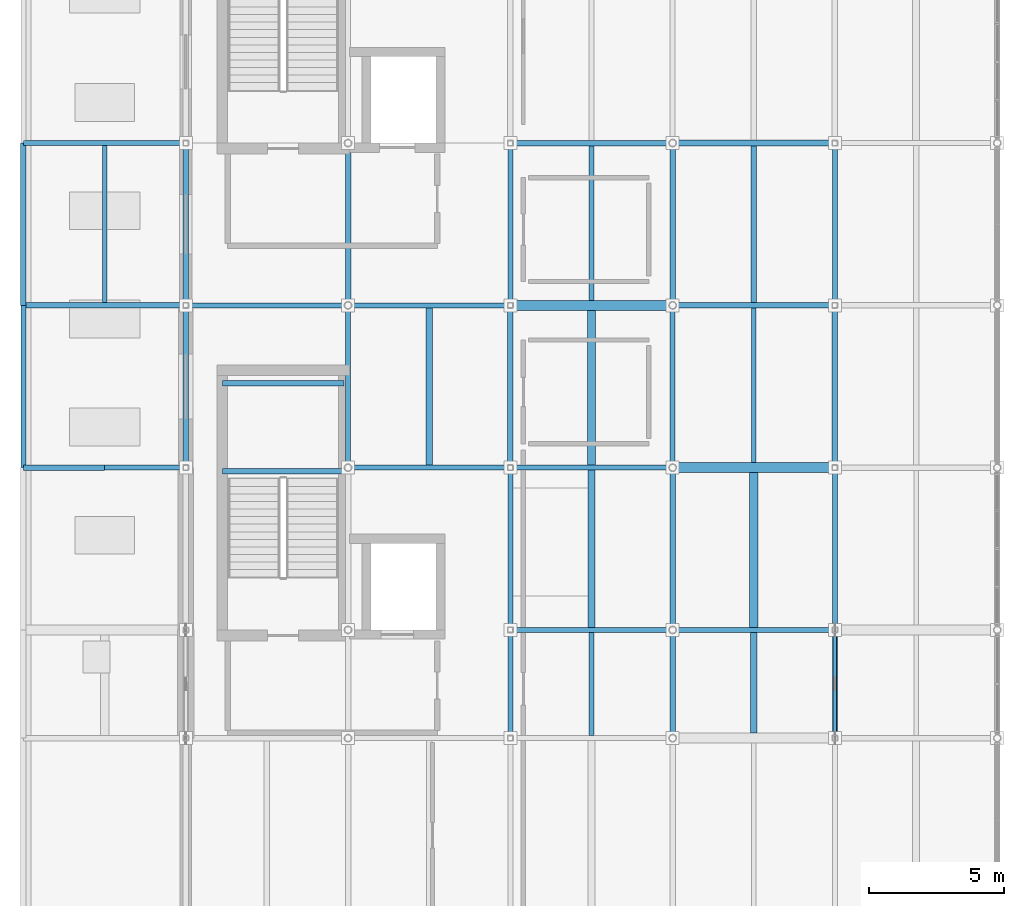
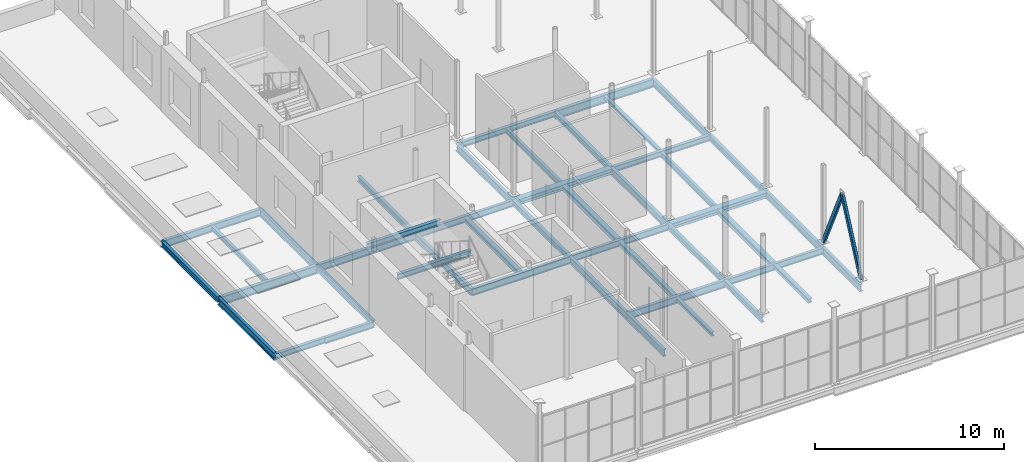
# One storey, part 11 of 27: 45 beams, 2 members.
"""IFC4 building model written with IfcOpenShell, lengths in metres."""

from ifc_helpers import new_model, si_unit, direction, frame, origin, origin_2d, place, context, subcontext, project, spatial, hollow_rectangle, i_section, extrude, material, material_profile, profile_set, type_object, element, save


model = new_model("IFC4")

# Units and contexts
model_context = context("Model", 3, precision=1e-05, world=origin(), true_north=direction((0.0, 1.0)))
body_context = subcontext(model_context, "Body", "Model", "MODEL_VIEW")
ifc_project = project(units=[si_unit("LENGTHUNIT", "METRE"), si_unit("AREAUNIT", "SQUARE_METRE"), si_unit("VOLUMEUNIT", "CUBIC_METRE"), si_unit("PLANEANGLEUNIT", "RADIAN"), si_unit("MASSUNIT", "GRAM", prefix="KILO")], contexts=[model_context])

# Site, building, storey
site_placement = place(None, origin())
site = spatial("IfcSite", under=ifc_project, at=site_placement, CompositionType="ELEMENT")
building_placement = place(site_placement, origin())
building = spatial("IfcBuilding", under=site, at=building_placement, Name="Verrall Gate Interchange", CompositionType="ELEMENT")
storey_placement = place(building_placement, frame((0.0, 0.0, 23.60009765625)))
storey = spatial("IfcBuildingStorey", under=building, at=storey_placement, Name="L06", CompositionType="ELEMENT", Elevation=23.60009765625)

# Beams
ifc_material_1 = material(Name="Structural Steel CSA G40.21 350W", Category="steel")
ifc_material_profile_1 = material_profile(ifc_material_1, i_section(OverallWidth=0.2109375, OverallDepth=0.5390625, WebThickness=0.01171875, FlangeThickness=0.018798828125, FilletRadius=0.013916015625, at=origin_2d()), Name="W530x109")
ifc_profile_set_1 = profile_set([ifc_material_profile_1], Name="Structural Steel CSA G40.21 350W")
beam_type_1 = type_object("IfcBeamType", Name="B-10 Structural Beam W530x109", PredefinedType="BEAM", material=ifc_profile_set_1)
for number, where, z_axis, x_axis, name in (
    (1, (0.0, 28.0, -0.599609375), (1.0, 0.0, 0.0), (0.0, 1.0, 0.0), "L06 Girder BM-L06-3075 (B-10)"),
    (2, (24.0, 34.0, -0.599609375), (1.0, 0.0, 0.0), (0.0, 1.0, 0.0), "L06 Girder BM-L06-3083 (B-10)"),
):
    element("IfcBeam", number, at=place(storey_placement, frame(where, z_axis=z_axis, x_axis=x_axis)), inside=storey, type_object=beam_type_1, Name=name, PredefinedType="BEAM", context=body_context, shape_type="SweptSolid", body=[
        extrude(i_section(OverallWidth=0.2109375, OverallDepth=0.5390625, WebThickness=0.01171875, FlangeThickness=0.018798828125, FilletRadius=0.013916015625, at=origin_2d()), origin(), (0.0, 0.0, 1.0), 6.0),
    ])
ifc_material_2 = material(Name="Structural Steel CSA G40.21 350W", Category="steel")
ifc_material_profile_2 = material_profile(ifc_material_2, i_section(OverallWidth=0.19189453125, OverallDepth=0.462890625, WebThickness=0.010498046875, FlangeThickness=0.017578125, FilletRadius=0.012939453125, at=origin_2d()), Name="W460x89")
ifc_profile_set_2 = profile_set([ifc_material_profile_2], Name="Structural Steel CSA G40.21 350W")
beam_type_2 = type_object("IfcBeamType", Name="B-11 Structural Beam W460x89", PredefinedType="BEAM", material=ifc_profile_set_2)
for number, where, z_axis, x_axis, name in (
    (3, (18.0, 16.0, -0.5615234375), (1.0, 0.0, 0.0), (0.0, 1.0, 0.0), "L06 Girder BM-L06-3066 (B-11)"),
    (4, (12.0, 22.0, -0.5615234375), (1.0, 0.0, 0.0), (0.0, 1.0, 0.0), "L06 Girder BM-L06-3071 (B-11)"),
    (5, (6.0, 28.0, -0.5615234375), (1.0, 0.0, 0.0), (0.0, 1.0, 0.0), "L06 Girder BM-L06-3076 (B-11)"),
    (6, (0.0, 34.0, -0.5615234375), (1.0, 0.0, 0.0), (0.0, 1.0, 0.0), "L06 Girder BM-L06-3081 (B-11)"),
    (7, (0.0, 22.0, -0.5615234375), (0.0, 1.0, 0.0), (-1.0, 0.0, 0.0), "L06 Girder BM-L06-3116 (B-11)"),
    (8, (6.0, 28.0, -0.5615234375), (0.0, 1.0, 0.0), (-1.0, 0.0, 0.0), "L06 Girder BM-L06-3128 (B-11)"),
    (9, (12.0, 22.0, -0.5615234375), (0.0, 1.0, 0.0), (-1.0, 0.0, 0.0), "L06 Girder BM-L06-3137 (B-11)"),
):
    element("IfcBeam", number, at=place(storey_placement, frame(where, z_axis=z_axis, x_axis=x_axis)), inside=storey, type_object=beam_type_2, Name=name, PredefinedType="BEAM", context=body_context, shape_type="SweptSolid", body=[
        extrude(i_section(OverallWidth=0.19189453125, OverallDepth=0.462890625, WebThickness=0.010498046875, FlangeThickness=0.017578125, FilletRadius=0.012939453125, at=origin_2d()), origin(), (0.0, 0.0, 1.0), 6.0),
    ])
beam_1_placement = place(storey_placement, frame((18.0, 12.0, -0.5615234375), z_axis=(0.0, 1.0, 0.0), x_axis=(-1.0, 0.0, 0.0)))
element("IfcBeam", 10, at=beam_1_placement, inside=storey, type_object=beam_type_2, Name="L06 Girder BM-L06-3145 (B-11)", PredefinedType="BEAM", context=body_context, shape_type="SweptSolid", body=[
    extrude(i_section(OverallWidth=0.19189453125, OverallDepth=0.462890625, WebThickness=0.010498046875, FlangeThickness=0.017578125, FilletRadius=0.012939453125, at=origin_2d()), origin(), (0.0, 0.0, 1.0), 4.0),
])
for number, where, z_axis, x_axis, name in (
    (11, (18.0, 16.0, -0.5615234375), (0.0, 1.0, 0.0), (-1.0, 0.0, 0.0), "L06 Girder BM-L06-3146 (B-11)"),
    (12, (18.0, 28.0, -0.5615234375), (0.0, 1.0, 0.0), (-1.0, 0.0, 0.0), "L06 Girder BM-L06-3148 (B-11)"),
    (13, (24.0, 22.0, -0.5615234375), (0.0, 1.0, 0.0), (-1.0, 0.0, 0.0), "L06 Girder BM-L06-3157 (B-11)"),
):
    element("IfcBeam", number, at=place(storey_placement, frame(where, z_axis=z_axis, x_axis=x_axis)), inside=storey, type_object=beam_type_2, Name=name, PredefinedType="BEAM", context=body_context, shape_type="SweptSolid", body=[
        extrude(i_section(OverallWidth=0.19189453125, OverallDepth=0.462890625, WebThickness=0.010498046875, FlangeThickness=0.017578125, FilletRadius=0.012939453125, at=origin_2d()), origin(), (0.0, 0.0, 1.0), 6.0),
    ])
beam_2_placement = place(storey_placement, frame((30.0, 12.0, -0.5615234375), z_axis=(0.0, 1.0, 0.0), x_axis=(-1.0, 0.0, 0.0)))
element("IfcBeam", 14, at=beam_2_placement, inside=storey, type_object=beam_type_2, Name="L06 Girder BM-L06-3165 (B-11)", PredefinedType="BEAM", context=body_context, shape_type="SweptSolid", body=[
    extrude(i_section(OverallWidth=0.19189453125, OverallDepth=0.462890625, WebThickness=0.010498046875, FlangeThickness=0.017578125, FilletRadius=0.012939453125, at=origin_2d()), origin(), (0.0, 0.0, 1.0), 4.0),
])
for number, where, z_axis, x_axis, name in (
    (15, (30.0, 16.0, -0.5615234375), (0.0, 1.0, 0.0), (-1.0, 0.0, 0.0), "L06 Girder BM-L06-3166 (B-11)"),
    (16, (30.0, 28.0, -0.5615234375), (0.0, 1.0, 0.0), (-1.0, 0.0, 0.0), "L06 Girder BM-L06-3168 (B-11)"),
):
    element("IfcBeam", number, at=place(storey_placement, frame(where, z_axis=z_axis, x_axis=x_axis)), inside=storey, type_object=beam_type_2, Name=name, PredefinedType="BEAM", context=body_context, shape_type="SweptSolid", body=[
        extrude(i_section(OverallWidth=0.19189453125, OverallDepth=0.462890625, WebThickness=0.010498046875, FlangeThickness=0.017578125, FilletRadius=0.012939453125, at=origin_2d()), origin(), (0.0, 0.0, 1.0), 6.0),
    ])
ifc_material_3 = material(Name="Structural Steel CSA G40.21 350W", Category="steel")
ifc_material_profile_3 = material_profile(ifc_material_3, i_section(OverallWidth=0.178955078125, OverallDepth=0.409912109375, WebThickness=0.0087890625, FlangeThickness=0.014404296875, FilletRadius=0.011962890625, at=origin_2d()), Name="W410x67")
ifc_profile_set_3 = profile_set([ifc_material_profile_3], Name="Structural Steel CSA G40.21 350W")
beam_type_3 = type_object("IfcBeamType", Name="B-12 Structural Beam W410x67", PredefinedType="BEAM", material=ifc_profile_set_3)
beam_3_placement = place(storey_placement, frame((24.0, 16.0, -0.53515625), z_axis=(1.0, 0.0, 0.0), x_axis=(0.0, 1.0, 0.0)))
element("IfcBeam", 17, at=beam_3_placement, inside=storey, type_object=beam_type_3, Name="L06 Girder BM-L06-3067 (B-12)", PredefinedType="BEAM", context=body_context, shape_type="SweptSolid", body=[
    extrude(i_section(OverallWidth=0.178955078125, OverallDepth=0.409912109375, WebThickness=0.0087890625, FlangeThickness=0.014404296875, FilletRadius=0.011962890625, at=origin_2d()), origin(), (0.0, 0.0, 1.0), 6.0),
])
beam_4_placement = place(storey_placement, frame((3.0, 22.0, -0.53515625), z_axis=(1.0, 0.0, 0.0), x_axis=(0.0, 1.0, 0.0)))
element("IfcBeam", 18, at=beam_4_placement, inside=storey, type_object=beam_type_3, Name="L06 Girder BM-L06-3070 (B-12)", PredefinedType="BEAM", context=body_context, shape_type="SweptSolid", body=[
    extrude(i_section(OverallWidth=0.178955078125, OverallDepth=0.409912109375, WebThickness=0.0087890625, FlangeThickness=0.014404296875, FilletRadius=0.011962890625, at=origin_2d()), origin(), (0.0, 0.0, 1.0), 3.0),
])
for number, where, z_axis, x_axis, name in (
    (19, (18.0, 22.0, -0.53515625), (1.0, 0.0, 0.0), (0.0, 1.0, 0.0), "L06 Girder BM-L06-3072 (B-12)"),
    (20, (12.0, 28.0, -0.53515625), (1.0, 0.0, 0.0), (0.0, 1.0, 0.0), "L06 Girder BM-L06-3077 (B-12)"),
):
    element("IfcBeam", number, at=place(storey_placement, frame(where, z_axis=z_axis, x_axis=x_axis)), inside=storey, type_object=beam_type_3, Name=name, PredefinedType="BEAM", context=body_context, shape_type="SweptSolid", body=[
        extrude(i_section(OverallWidth=0.178955078125, OverallDepth=0.409912109375, WebThickness=0.0087890625, FlangeThickness=0.014404296875, FilletRadius=0.011962890625, at=origin_2d()), origin(), (0.0, 0.0, 1.0), 6.0),
    ])
ifc_material_4 = material(Name="Structural Steel CSA G40.21 350W", Category="steel")
ifc_material_profile_4 = material_profile(ifc_material_4, i_section(OverallWidth=0.368896484375, OverallDepth=0.35595703125, WebThickness=0.01123046875, FlangeThickness=0.01806640625, FilletRadius=0.014892578125, at=origin_2d()), Name="W360x134")
ifc_profile_set_4 = profile_set([ifc_material_profile_4], Name="Structural Steel CSA G40.21 350W")
beam_type_4 = type_object("IfcBeamType", Name="B-13 Structural Beam W360x134", PredefinedType="BEAM", material=ifc_profile_set_4)
for number, where, z_axis, x_axis, name in (
    (21, (24.0, 22.0, -0.508056640625), (1.0, 0.0, 0.0), (0.0, 1.0, 0.0), "L06 Girder BM-L06-3073 (B-13)"),
    (22, (18.0, 28.0, -0.508056640625), (1.0, 0.0, 0.0), (0.0, 1.0, 0.0), "L06 Girder BM-L06-3078 (B-13)"),
):
    element("IfcBeam", number, at=place(storey_placement, frame(where, z_axis=z_axis, x_axis=x_axis)), inside=storey, type_object=beam_type_4, Name=name, PredefinedType="BEAM", context=body_context, shape_type="SweptSolid", body=[
        extrude(i_section(OverallWidth=0.368896484375, OverallDepth=0.35595703125, WebThickness=0.01123046875, FlangeThickness=0.01806640625, FilletRadius=0.014892578125, at=origin_2d()), origin(), (0.0, 0.0, 1.0), 6.0),
    ])
ifc_material_5 = material(Name="Structural Steel CSA G40.21 350W", Category="steel")
ifc_material_profile_5 = material_profile(ifc_material_5, i_section(OverallWidth=0.205078125, OverallDepth=0.35400390625, WebThickness=0.009521484375, FlangeThickness=0.016845703125, FilletRadius=0.012939453125, at=origin_2d()), Name="W360x79")
ifc_profile_set_5 = profile_set([ifc_material_profile_5], Name="Structural Steel CSA G40.21 350W")
beam_type_5 = type_object("IfcBeamType", Name="B-14 Structural Beam W360x79", PredefinedType="BEAM", material=ifc_profile_set_5)
beam_5_placement = place(storey_placement, frame((0.0, 22.0, -0.507080078125), z_axis=(1.0, 0.0, 0.0), x_axis=(0.0, 1.0, 0.0)))
element("IfcBeam", 23, at=beam_5_placement, inside=storey, type_object=beam_type_5, Name="L06 Girder BM-L06-3069 (B-14)", PredefinedType="BEAM", context=body_context, shape_type="SweptSolid", body=[
    extrude(i_section(OverallWidth=0.205078125, OverallDepth=0.35400390625, WebThickness=0.009521484375, FlangeThickness=0.016845703125, FilletRadius=0.012939453125, at=origin_2d()), origin(), (0.0, 0.0, 1.0), 3.0),
])
for number, where, z_axis, x_axis, name in (
    (24, (24.0, 28.0, -0.507080078125), (1.0, 0.0, 0.0), (0.0, 1.0, 0.0), "L06 Girder BM-L06-3079 (B-14)"),
    (25, (18.0, 34.0, -0.507080078125), (1.0, 0.0, 0.0), (0.0, 1.0, 0.0), "L06 Girder BM-L06-3082 (B-14)"),
    (26, (0.0, 28.0, -0.507080078125), (0.0, 1.0, 0.0), (-1.0, 0.0, 0.0), "L06 Girder BM-L06-3117 (B-14)"),
    (27, (6.0, 22.0, -0.507080078125), (0.0, 1.0, 0.0), (-1.0, 0.0, 0.0), "L06 Girder BM-L06-3127 (B-14)"),
    (28, (12.0, 28.0, -0.507080078125), (0.0, 1.0, 0.0), (-1.0, 0.0, 0.0), "L06 Girder BM-L06-3138 (B-14)"),
    (29, (18.0, 22.0, -0.507080078125), (0.0, 1.0, 0.0), (-1.0, 0.0, 0.0), "L06 Girder BM-L06-3147 (B-14)"),
):
    element("IfcBeam", number, at=place(storey_placement, frame(where, z_axis=z_axis, x_axis=x_axis)), inside=storey, type_object=beam_type_5, Name=name, PredefinedType="BEAM", context=body_context, shape_type="SweptSolid", body=[
        extrude(i_section(OverallWidth=0.205078125, OverallDepth=0.35400390625, WebThickness=0.009521484375, FlangeThickness=0.016845703125, FilletRadius=0.012939453125, at=origin_2d()), origin(), (0.0, 0.0, 1.0), 6.0),
    ])
beam_6_placement = place(storey_placement, frame((24.0, 12.0, -0.507080078125), z_axis=(0.0, 1.0, 0.0), x_axis=(-1.0, 0.0, 0.0)))
element("IfcBeam", 30, at=beam_6_placement, inside=storey, type_object=beam_type_5, Name="L06 Girder BM-L06-3155 (B-14)", PredefinedType="BEAM", context=body_context, shape_type="SweptSolid", body=[
    extrude(i_section(OverallWidth=0.205078125, OverallDepth=0.35400390625, WebThickness=0.009521484375, FlangeThickness=0.016845703125, FilletRadius=0.012939453125, at=origin_2d()), origin(), (0.0, 0.0, 1.0), 4.0),
])
for number, where, z_axis, x_axis, name in (
    (31, (24.0, 16.0, -0.507080078125), (0.0, 1.0, 0.0), (-1.0, 0.0, 0.0), "L06 Girder BM-L06-3156 (B-14)"),
    (32, (24.0, 28.0, -0.507080078125), (0.0, 1.0, 0.0), (-1.0, 0.0, 0.0), "L06 Girder BM-L06-3158 (B-14)"),
    (33, (30.0, 22.0, -0.507080078125), (0.0, 1.0, 0.0), (-1.0, 0.0, 0.0), "L06 Girder BM-L06-3167 (B-14)"),
):
    element("IfcBeam", number, at=place(storey_placement, frame(where, z_axis=z_axis, x_axis=x_axis)), inside=storey, type_object=beam_type_5, Name=name, PredefinedType="BEAM", context=body_context, shape_type="SweptSolid", body=[
        extrude(i_section(OverallWidth=0.205078125, OverallDepth=0.35400390625, WebThickness=0.009521484375, FlangeThickness=0.016845703125, FilletRadius=0.012939453125, at=origin_2d()), origin(), (0.0, 0.0, 1.0), 6.0),
    ])
for number, where, z_axis, x_axis, name in (
    (34, (7.35009765625, 21.8701171875, 2.1298828125), (1.0, 0.0, 0.0), (0.0, 1.0, 0.0), "L06 Core C1 Mid-Landing Beam 1"),
    (35, (7.35009765625, 25.1201171875, 2.1298828125), (1.0, 0.0, 0.0), (0.0, 1.0, 0.0), "L06 Core C1 Mid-Landing Beam 2"),
):
    element("IfcBeam", number, at=place(storey_placement, frame(where, z_axis=z_axis, x_axis=x_axis)), inside=storey, type_object=beam_type_5, Name=name, PredefinedType="BEAM", context=body_context, shape_type="SweptSolid", body=[
        extrude(i_section(OverallWidth=0.205078125, OverallDepth=0.35400390625, WebThickness=0.009521484375, FlangeThickness=0.016845703125, FilletRadius=0.012939453125, at=origin_2d()), origin(), (0.0, 0.0, 1.0), 4.5),
    ])

# Members
ifc_material_6 = material(Name="Structural Steel CSA G40.21 350W", Category="steel")
ifc_material_profile_6 = material_profile(ifc_material_6, hollow_rectangle(XDim=0.152099609375, YDim=0.25390625, WallThickness=0.009521484375, InnerFilletRadius=0.009521484375, OuterFilletRadius=0.01904296875, at=origin_2d()), Name="HSS254x152x9.5")
ifc_profile_set_6 = profile_set([ifc_material_profile_6], Name="Structural Steel CSA G40.21 350W")
member_type = type_object("IfcMemberType", Name="BR-05 Diagonal Brace HSS254x152x9.5", PredefinedType="BRACE", material=ifc_profile_set_6)
for number, where, z_axis, x_axis, name in (
    (36, (30.0, 12.0, 0.0), (0.0, 0.422555052535, 0.90633725929), (-1.0, 0.0, 0.0), "Chevron Brace CBF5 L06 Leg A"),
    (37, (30.0, 16.0, 0.0), (0.0, -0.422555052535, 0.90633725929), (1.0, 0.0, 0.0), "Chevron Brace CBF5 L06 Leg B"),
):
    element("IfcMember", number, at=place(storey_placement, frame(where, z_axis=z_axis, x_axis=x_axis)), inside=storey, type_object=member_type, Name=name, PredefinedType="BRACE", context=body_context, shape_type="SweptSolid", body=[
        extrude(hollow_rectangle(XDim=0.152099609375, YDim=0.25390625, WallThickness=0.009521484375, InnerFilletRadius=0.009521484375, OuterFilletRadius=0.01904296875, at=origin_2d()), origin(), (0.0, 0.0, 1.0), 4.733154296875),
    ])

# Beams
ifc_material_7 = material(Name="Structural Steel CSA G40.21 350W", Category="steel")
ifc_material_profile_7 = material_profile(ifc_material_7, i_section(OverallWidth=0.172119140625, OverallDepth=0.35791015625, WebThickness=0.0078125, FlangeThickness=0.01318359375, FilletRadius=0.010986328125, at=origin_2d()), Name="W360x57")
ifc_profile_set_7 = profile_set([ifc_material_profile_7], Name="Structural Steel CSA G40.21 350W")
beam_type_6 = type_object("IfcBeamType", Name="J-01 Floor Joist W360x57", PredefinedType="JOIST", material=ifc_profile_set_7)
for number, where, z_axis, x_axis, name in (
    (38, (27.0, 22.1845703125, -0.509033203125), (0.0, 1.0, 0.0), (-1.0, 0.0, 0.0), "L06 Secondary Floor Joist JST-L06-3198"),
    (39, (21.0, 28.1845703125, -0.509033203125), (0.0, 1.0, 0.0), (-1.0, 0.0, 0.0), "L06 Secondary Floor Joist JST-L06-3201"),
):
    element("IfcBeam", number, at=place(storey_placement, frame(where, z_axis=z_axis, x_axis=x_axis)), inside=storey, type_object=beam_type_6, Name=name, PredefinedType="JOIST", context=body_context, shape_type="SweptSolid", body=[
        extrude(i_section(OverallWidth=0.172119140625, OverallDepth=0.35791015625, WebThickness=0.0078125, FlangeThickness=0.01318359375, FilletRadius=0.010986328125, at=origin_2d()), origin(), (0.0, 0.0, 1.0), 5.712890625),
    ])
ifc_material_8 = material(Name="Structural Steel CSA G40.21 350W", Category="steel")
ifc_material_profile_8 = material_profile(ifc_material_8, i_section(OverallWidth=0.306884765625, OverallDepth=0.31396484375, WebThickness=0.011962890625, FlangeThickness=0.018798828125, FilletRadius=0.013916015625, at=origin_2d()), Name="W310x118")
ifc_profile_set_8 = profile_set([ifc_material_profile_8], Name="Structural Steel CSA G40.21 350W")
beam_type_7 = type_object("IfcBeamType", Name="J-02 Floor Joist W310x118", PredefinedType="JOIST", material=ifc_profile_set_8)
for number, where, z_axis, x_axis, name in (
    (40, (27.0, 16.089599609375, -0.487060546875), (0.0, 1.0, 0.0), (-1.0, 0.0, 0.0), "L06 Secondary Floor Joist JST-L06-3194"),
    (41, (21.0, 22.089599609375, -0.487060546875), (0.0, 1.0, 0.0), (-1.0, 0.0, 0.0), "L06 Secondary Floor Joist JST-L06-3197"),
):
    element("IfcBeam", number, at=place(storey_placement, frame(where, z_axis=z_axis, x_axis=x_axis)), inside=storey, type_object=beam_type_7, Name=name, PredefinedType="JOIST", context=body_context, shape_type="SweptSolid", body=[
        extrude(i_section(OverallWidth=0.306884765625, OverallDepth=0.31396484375, WebThickness=0.011962890625, FlangeThickness=0.018798828125, FilletRadius=0.013916015625, at=origin_2d()), origin(), (0.0, 0.0, 1.0), 5.725830078125),
    ])
ifc_material_9 = material(Name="Structural Steel CSA G40.21 350W", Category="steel")
ifc_material_profile_9 = material_profile(ifc_material_9, i_section(OverallWidth=0.25390625, OverallDepth=0.305908203125, WebThickness=0.0087890625, FlangeThickness=0.0146484375, FilletRadius=0.012939453125, at=origin_2d()), Name="W310x79")
ifc_profile_set_9 = profile_set([ifc_material_profile_9], Name="Structural Steel CSA G40.21 350W")
beam_type_8 = type_object("IfcBeamType", Name="J-03 Floor Joist W310x79", PredefinedType="JOIST", material=ifc_profile_set_9)
for number, where, z_axis, x_axis, name in (
    (42, (21.0, 16.095947265625, -0.483154296875), (0.0, 1.0, 0.0), (-1.0, 0.0, 0.0), "L06 Secondary Floor Joist JST-L06-3193"),
    (43, (15.0, 22.095947265625, -0.483154296875), (0.0, 1.0, 0.0), (-1.0, 0.0, 0.0), "L06 Secondary Floor Joist JST-L06-3196"),
):
    element("IfcBeam", number, at=place(storey_placement, frame(where, z_axis=z_axis, x_axis=x_axis)), inside=storey, type_object=beam_type_8, Name=name, PredefinedType="JOIST", context=body_context, shape_type="SweptSolid", body=[
        extrude(i_section(OverallWidth=0.25390625, OverallDepth=0.305908203125, WebThickness=0.0087890625, FlangeThickness=0.0146484375, FilletRadius=0.012939453125, at=origin_2d()), origin(), (0.0, 0.0, 1.0), 5.814453125),
    ])
ifc_material_10 = material(Name="Structural Steel CSA G40.21 350W", Category="steel")
ifc_material_profile_10 = material_profile(ifc_material_10, i_section(OverallWidth=0.1650390625, OverallDepth=0.31005859375, WebThickness=0.005859375, FlangeThickness=0.009765625, FilletRadius=0.010009765625, at=origin_2d()), Name="W310x39")
ifc_profile_set_10 = profile_set([ifc_material_profile_10], Name="Structural Steel CSA G40.21 350W")
beam_type_9 = type_object("IfcBeamType", Name="J-04 Floor Joist W310x39", PredefinedType="JOIST", material=ifc_profile_set_10)
beam_7_placement = place(storey_placement, frame((3.0, 28.10546875, -0.485107421875), z_axis=(0.0, 1.0, 0.0), x_axis=(-1.0, 0.0, 0.0)))
element("IfcBeam", 44, at=beam_7_placement, inside=storey, type_object=beam_type_9, Name="L06 Secondary Floor Joist JST-L06-3200", PredefinedType="JOIST", context=body_context, shape_type="SweptSolid", body=[
    extrude(i_section(OverallWidth=0.1650390625, OverallDepth=0.31005859375, WebThickness=0.005859375, FlangeThickness=0.009765625, FilletRadius=0.010009765625, at=origin_2d()), origin(), (0.0, 0.0, 1.0), 5.798583984375),
])
ifc_material_11 = material(Name="Structural Steel CSA G40.21 350W", Category="steel")
ifc_material_profile_11 = material_profile(ifc_material_11, i_section(OverallWidth=0.25390625, OverallDepth=0.2529296875, WebThickness=0.008544921875, FlangeThickness=0.01416015625, FilletRadius=0.011962890625, at=origin_2d()), Name="W250x73")
ifc_profile_set_11 = profile_set([ifc_material_profile_11], Name="Structural Steel CSA G40.21 350W")
beam_type_10 = type_object("IfcBeamType", Name="J-05 Floor Joist W250x73", PredefinedType="JOIST", material=ifc_profile_set_11)
beam_8_placement = place(storey_placement, frame((27.0, 12.1845703125, -0.45654296875), z_axis=(0.0, 1.0, 0.0), x_axis=(-1.0, 0.0, 0.0)))
element("IfcBeam", 45, at=beam_8_placement, inside=storey, type_object=beam_type_10, Name="L06 Secondary Floor Joist JST-L06-3191", PredefinedType="JOIST", context=body_context, shape_type="SweptSolid", body=[
    extrude(i_section(OverallWidth=0.25390625, OverallDepth=0.2529296875, WebThickness=0.008544921875, FlangeThickness=0.01416015625, FilletRadius=0.011962890625, at=origin_2d()), origin(), (0.0, 0.0, 1.0), 3.725830078125),
])
ifc_material_12 = material(Name="Structural Steel CSA G40.21 350W", Category="steel")
ifc_material_profile_12 = material_profile(ifc_material_12, i_section(OverallWidth=0.201904296875, OverallDepth=0.2470703125, WebThickness=0.00732421875, FlangeThickness=0.010986328125, FilletRadius=0.010986328125, at=origin_2d()), Name="W250x49")
ifc_profile_set_12 = profile_set([ifc_material_profile_12], Name="Structural Steel CSA G40.21 350W")
beam_type_11 = type_object("IfcBeamType", Name="J-06 Floor Joist W250x49", PredefinedType="JOIST", material=ifc_profile_set_12)
beam_9_placement = place(storey_placement, frame((21.0, 12.089599609375, -0.45361328125), z_axis=(0.0, 1.0, 0.0), x_axis=(-1.0, 0.0, 0.0)))
element("IfcBeam", 46, at=beam_9_placement, inside=storey, type_object=beam_type_11, Name="L06 Secondary Floor Joist JST-L06-3190", PredefinedType="JOIST", context=body_context, shape_type="SweptSolid", body=[
    extrude(i_section(OverallWidth=0.201904296875, OverallDepth=0.2470703125, WebThickness=0.00732421875, FlangeThickness=0.010986328125, FilletRadius=0.010986328125, at=origin_2d()), origin(), (0.0, 0.0, 1.0), 3.814453125),
])
ifc_material_13 = material(Name="Structural Steel CSA G40.21 350W", Category="steel")
ifc_material_profile_13 = material_profile(ifc_material_13, i_section(OverallWidth=0.202880859375, OverallDepth=0.202880859375, WebThickness=0.007080078125, FlangeThickness=0.010986328125, FilletRadius=0.010009765625, at=origin_2d()), Name="W200x46")
ifc_profile_set_13 = profile_set([ifc_material_profile_13], Name="Structural Steel CSA G40.21 350W")
beam_type_12 = type_object("IfcBeamType", Name="J-07 Floor Joist W200x46", PredefinedType="JOIST", material=ifc_profile_set_13)
beam_10_placement = place(storey_placement, frame((27.0, 28.1025390625, -0.431640625), z_axis=(0.0, 1.0, 0.0), x_axis=(-1.0, 0.0, 0.0)))
element("IfcBeam", 47, at=beam_10_placement, inside=storey, type_object=beam_type_12, Name="L06 Secondary Floor Joist JST-L06-3202", PredefinedType="JOIST", context=body_context, shape_type="SweptSolid", body=[
    extrude(i_section(OverallWidth=0.202880859375, OverallDepth=0.202880859375, WebThickness=0.007080078125, FlangeThickness=0.010986328125, FilletRadius=0.010009765625, at=origin_2d()), origin(), (0.0, 0.0, 1.0), 5.7919921875),
])

save(model, "model.ifc")
